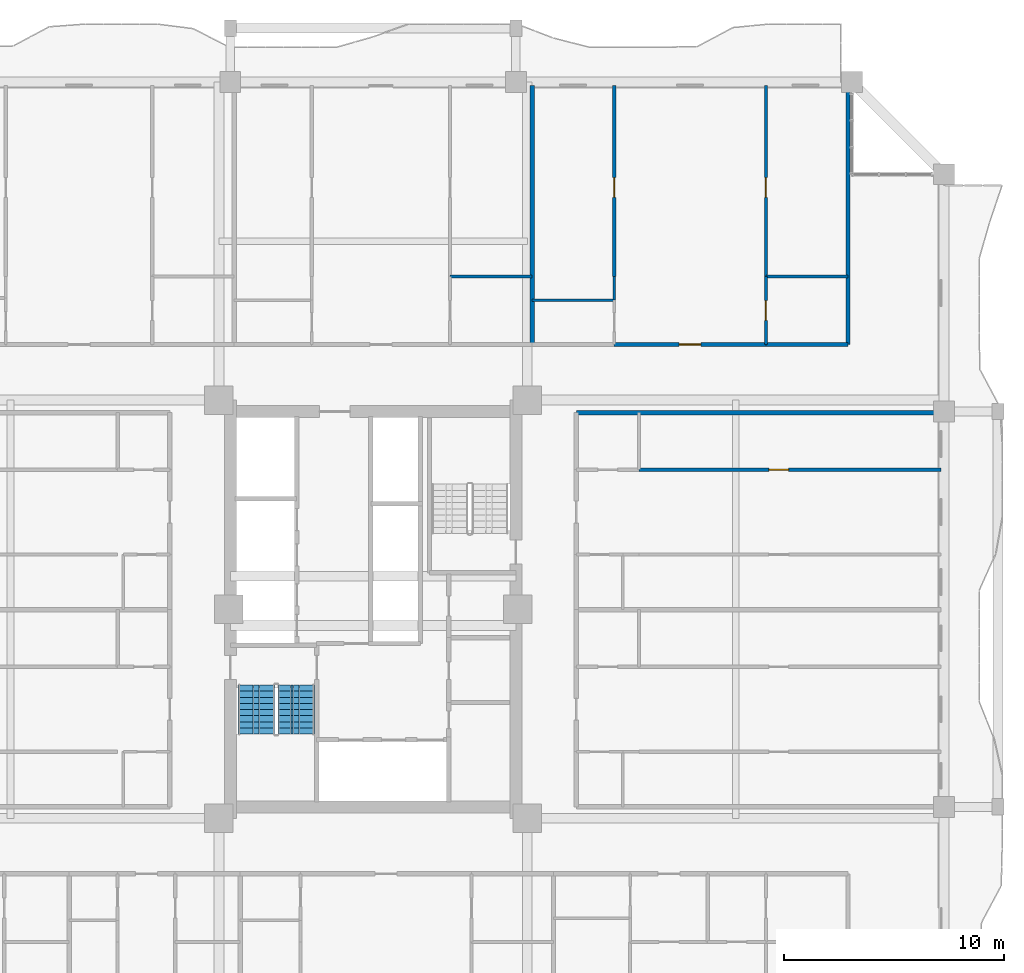
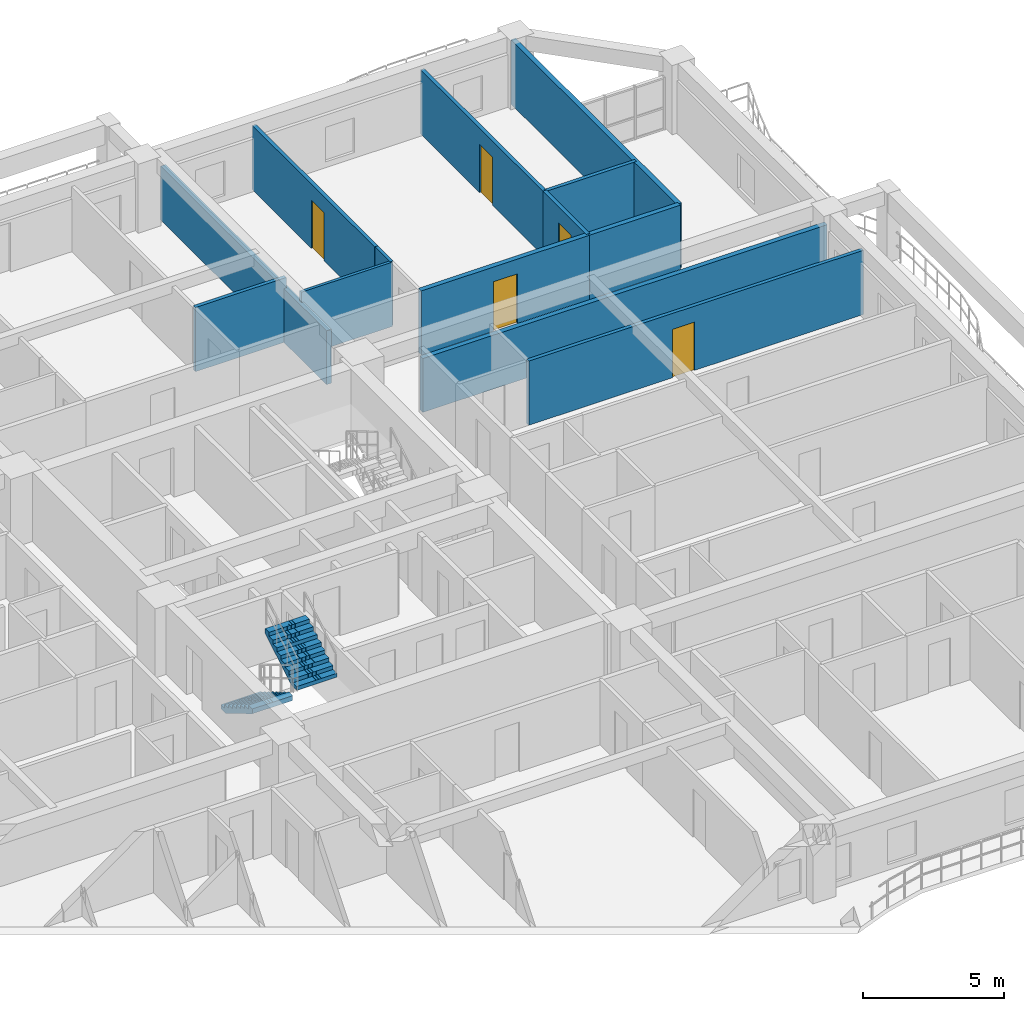
# One storey, part 20 of 25: 13 walls, 5 doors, 2 stair flights, 5 openings, 1 element without a shape of its own.
"""IFC4 building model written with IfcOpenShell, lengths in metres."""

from ifc_helpers import new_model, si_unit, direction, frame, frame_2d, origin, place, context, subcontext, project, spatial, polyline, rectangle, outline, extrude, source, transform, mapped, material, layer, layer_set, type_object, element, fill, aggregate, save


model = new_model("IFC4")

# Units and contexts
model_context = context("Model", 3, precision=1e-05, world=origin(), true_north=direction((0.0, 1.0)))
body_context = subcontext(model_context, "Body", "Model", "MODEL_VIEW")
ifc_project = project(units=[si_unit("LENGTHUNIT", "METRE"), si_unit("AREAUNIT", "SQUARE_METRE"), si_unit("VOLUMEUNIT", "CUBIC_METRE"), si_unit("PLANEANGLEUNIT", "RADIAN"), si_unit("MASSUNIT", "GRAM", prefix="KILO")], contexts=[model_context])

# Site, building, storey
site_placement = place(None, origin())
site = spatial("IfcSite", under=ifc_project, at=site_placement, CompositionType="ELEMENT")
building_placement = place(site_placement, origin())
building = spatial("IfcBuilding", under=site, at=building_placement, Name="Saelheon Loggia Tower", CompositionType="ELEMENT")
storey_placement = place(building_placement, frame((0.0, 0.0, 80.85009765625)))
storey = spatial("IfcBuildingStorey", under=building, at=storey_placement, Name="L25", CompositionType="ELEMENT", Elevation=80.85009765625)

# Walls
ifc_material_1 = material(Name="Lightweight Autoclaved Aerated Concrete Block and Acoustic Gypsum", Category="concrete")
ifc_layer_1 = layer(ifc_material_1, 0.14990234375)
ifc_layer_set_1 = layer_set([ifc_layer_1], Name="Lightweight Autoclaved Aerated Concrete Block and Acoustic Gypsum")
wall_type_1 = type_object("IfcWallType", Name="Wall_Part_150", PredefinedType="PARTITIONING", material=ifc_layer_set_1)
for number, where, z_axis, x_axis, name in (
    (1, (41.5029296875, 42.14990234375, 0.0), (0.0, 0.0, 1.0), (1.0, 0.0, 0.0), "L25 N Partition V20"),
    (2, (55.884521484375, 42.14990234375, 0.0), (0.0, 0.0, 1.0), (1.0, 0.0, 0.0), "L25 N Partition V31"),
):
    element("IfcWall", number, at=place(storey_placement, frame(where, z_axis=z_axis, x_axis=x_axis)), inside=storey, type_object=wall_type_1, Name=name, PredefinedType="PARTITIONING", context=body_context, shape_type="SweptSolid", body=[
        extrude(rectangle(XDim=3.735595703125, YDim=0.14990234375, at=frame_2d((1.86767578125, 0.0))), origin(), (0.0, 0.0, 1.0), 2.789794921875),
    ])

# Wall, opening, door
wall_1_placement = place(storey_placement, frame((48.97412109375, 42.14990234375, 0.0), z_axis=(0.0, 0.0, 1.0), x_axis=(0.0, 1.0, 0.0)))
wall_1 = element("IfcWall", 3, at=wall_1_placement, inside=storey, type_object=wall_type_1, Name="L25 N Partition U34", PredefinedType="PARTITIONING", context=body_context, shape_type="SweptSolid", body=[
    extrude(rectangle(XDim=8.7001953125, YDim=0.14990234375, at=frame_2d((4.35009765625, 0.0))), origin(), (0.0, 0.0, 1.0), 2.789794921875),
])
opening_1_placement = place(wall_1_placement, frame((3.594970703125, 0.0, 0.0)))
opening_1 = element("IfcOpeningElement", 4, at=opening_1_placement, cuts=wall_1, Name="Opening D-IN2", PredefinedType="OPENING", context=body_context, shape_type="SweptSolid", body=[
    extrude(rectangle(XDim=0.89990234375, YDim=2.10009765625, at=frame_2d((0.449951171875, 1.050048828125))), frame((0.0, 0.0869140625, 0.0), z_axis=(0.0, -1.0, 0.0), x_axis=(1.0, 0.0, 0.0)), (0.0, 0.0, 1.0), 0.173828125),
])
ifc_material_2 = material(Name="Engineered Oak Flush Door", Category="timber")
door_type_1 = type_object("IfcDoorType", Name="Door_Int_900", OperationType="NOTDEFINED", PredefinedType="DOOR", material=ifc_material_2)
shared_shape_1 = source(origin(), body_context, "Body", "SweptSolid", [
    extrude(rectangle(XDim=0.89990234375, YDim=2.10009765625, at=frame_2d((0.449951171875, 1.050048828125))), frame((0.0, 0.02490234375, 0.0), z_axis=(0.0, -1.0, 0.0), x_axis=(1.0, 0.0, 0.0)), (0.0, 0.0, 1.0), 0.050048828125),
])
door_1_placement = place(opening_1_placement, origin())
door_1 = element("IfcDoor", 5, at=door_1_placement, inside=storey, type_object=door_type_1, Name="Unit U07 Bedroom 2 Door", OperationType="SINGLE_SWING_RIGHT", OverallHeight=2.10009765625, OverallWidth=0.89990234375, PredefinedType="DOOR", context=body_context, shape_type="MappedRepresentation", body=[
    mapped(shared_shape_1, transform((0.0, 0.0, 0.0), scale=1.0)),
])
fill(opening_1, door_1)

wall_2_placement = place(storey_placement, frame((55.884521484375, 39.050048828125, 0.0), z_axis=(0.0, 0.0, 1.0), x_axis=(0.0, 1.0, 0.0)))
wall_2 = element("IfcWall", 6, at=wall_2_placement, inside=storey, type_object=wall_type_1, Name="L25 N Partition U35", PredefinedType="PARTITIONING", context=body_context, shape_type="SweptSolid", body=[
    extrude(rectangle(XDim=3.099853515625, YDim=0.14990234375, at=frame_2d((1.5498046875, 0.0))), origin(), (0.0, 0.0, 1.0), 2.789794921875),
])
opening_2_placement = place(wall_2_placement, frame((1.10009765625, 0.0, 0.0)))
opening_2 = element("IfcOpeningElement", 7, at=opening_2_placement, cuts=wall_2, Name="Opening D-IN2", PredefinedType="OPENING", context=body_context, shape_type="SweptSolid", body=[
    extrude(rectangle(XDim=0.89990234375, YDim=2.10009765625, at=frame_2d((0.449951171875, 1.050048828125))), frame((0.0, 0.0869140625, 0.0), z_axis=(0.0, -1.0, 0.0), x_axis=(1.0, 0.0, 0.0)), (0.0, 0.0, 1.0), 0.173828125),
])
door_2_placement = place(opening_2_placement, origin())
door_2 = element("IfcDoor", 8, at=door_2_placement, inside=storey, type_object=door_type_1, Name="Unit U07 Kitchen Door", OperationType="SINGLE_SWING_LEFT", OverallHeight=2.10009765625, OverallWidth=0.89990234375, PredefinedType="DOOR", context=body_context, shape_type="MappedRepresentation", body=[
    mapped(shared_shape_1, transform((0.0, 0.0, 0.0), scale=1.0)),
])
fill(opening_2, door_2)

wall_3_placement = place(storey_placement, frame((55.884521484375, 42.14990234375, 0.0), z_axis=(0.0, 0.0, 1.0), x_axis=(0.0, 1.0, 0.0)))
wall_3 = element("IfcWall", 9, at=wall_3_placement, inside=storey, type_object=wall_type_1, Name="L25 N Partition U36", PredefinedType="PARTITIONING", context=body_context, shape_type="SweptSolid", body=[
    extrude(rectangle(XDim=8.7001953125, YDim=0.14990234375, at=frame_2d((4.35009765625, 0.0))), origin(), (0.0, 0.0, 1.0), 2.789794921875),
])
opening_3_placement = place(wall_3_placement, frame((3.594970703125, 0.0, 0.0)))
opening_3 = element("IfcOpeningElement", 10, at=opening_3_placement, cuts=wall_3, Name="Opening D-IN2", PredefinedType="OPENING", context=body_context, shape_type="SweptSolid", body=[
    extrude(rectangle(XDim=0.89990234375, YDim=2.10009765625, at=frame_2d((0.449951171875, 1.050048828125))), frame((0.0, 0.0869140625, 0.0), z_axis=(0.0, -1.0, 0.0), x_axis=(1.0, 0.0, 0.0)), (0.0, 0.0, 1.0), 0.173828125),
])
door_3_placement = place(opening_3_placement, origin())
door_3 = element("IfcDoor", 11, at=door_3_placement, inside=storey, type_object=door_type_1, Name="Unit U07 Bedroom 1 Door", OperationType="SINGLE_SWING_RIGHT", OverallHeight=2.10009765625, OverallWidth=0.89990234375, PredefinedType="DOOR", context=body_context, shape_type="MappedRepresentation", body=[
    mapped(shared_shape_1, transform((0.0, 0.0, 0.0), scale=1.0)),
])
fill(opening_3, door_3)

wall_4_placement = place(storey_placement, frame((50.110107421875, 33.35009765625, 0.0), z_axis=(0.0, 0.0, 1.0), x_axis=(1.0, 0.0, 0.0)))
wall_4 = element("IfcWall", 12, at=wall_4_placement, inside=storey, type_object=wall_type_1, Name="L25 E Partition U23", PredefinedType="PARTITIONING", context=body_context, shape_type="SweptSolid", body=[
    extrude(rectangle(XDim=13.739990234375, YDim=0.14990234375, at=frame_2d((6.8701171875, 0.0))), origin(), (0.0, 0.0, 1.0), 2.789794921875),
])
opening_4_placement = place(wall_4_placement, frame((5.905029296875, 0.0, 0.0)))
opening_4 = element("IfcOpeningElement", 13, at=opening_4_placement, cuts=wall_4, Name="Opening D-IN2", PredefinedType="OPENING", context=body_context, shape_type="SweptSolid", body=[
    extrude(rectangle(XDim=0.89990234375, YDim=2.10009765625, at=frame_2d((0.449951171875, 1.050048828125))), frame((0.0, 0.0869140625, 0.0), z_axis=(0.0, -1.0, 0.0), x_axis=(1.0, 0.0, 0.0)), (0.0, 0.0, 1.0), 0.173828125),
])
door_4_placement = place(opening_4_placement, origin())
door_4 = element("IfcDoor", 14, at=door_4_placement, inside=storey, type_object=door_type_1, Name="Unit U11 Bedroom 1 Door", OperationType="SINGLE_SWING_RIGHT", OverallHeight=2.10009765625, OverallWidth=0.89990234375, PredefinedType="DOOR", context=body_context, shape_type="MappedRepresentation", body=[
    mapped(shared_shape_1, transform((0.0, 0.0, 0.0), scale=1.0)),
])
fill(opening_4, door_4)

# Walls
ifc_material_3 = material(Name="Double Acoustic Stud and Fireboard Partition", Category="gypsum")
ifc_layer_2 = layer(ifc_material_3, 0.199951171875)
ifc_layer_set_2 = layer_set([ifc_layer_2], Name="Double Acoustic Stud and Fireboard Partition")
wall_type_2 = type_object("IfcWallType", Name="Wall_Party_200", PredefinedType="PARTITIONING", material=ifc_layer_set_2)
wall_5_placement = place(storey_placement, frame((59.6201171875, 39.050048828125, 0.0), z_axis=(0.0, 0.0, 1.0), x_axis=(0.0, 1.0, 0.0)))
element("IfcWall", 15, at=wall_5_placement, inside=storey, type_object=wall_type_2, Name="L25 N Partition U02", PredefinedType="PARTITIONING", context=body_context, shape_type="SweptSolid", body=[
    extrude(rectangle(XDim=11.800048828125, YDim=0.199951171875, at=frame_2d((5.89990234375, 0.0))), origin(), (0.0, 0.0, 1.0), 2.789794921875),
])
wall_6_placement = place(storey_placement, frame((45.238525390625, 39.050048828125, 0.0), z_axis=(0.0, 0.0, 1.0), x_axis=(0.0, 1.0, 0.0)))
element("IfcWall", 16, at=wall_6_placement, inside=storey, type_object=wall_type_2, Name="L25 N Partition U26", PredefinedType="PARTITIONING", context=body_context, shape_type="SweptSolid", body=[
    extrude(rectangle(XDim=11.800048828125, YDim=0.199951171875, at=frame_2d((5.89990234375, 0.0))), origin(), (0.0, 0.0, 1.0), 2.33984375),
])

# Wall, opening, door
wall_7_placement = place(storey_placement, frame((48.97412109375, 39.050048828125, 0.0), z_axis=(0.0, 0.0, 1.0), x_axis=(1.0, 0.0, 0.0)))
wall_7 = element("IfcWall", 17, at=wall_7_placement, inside=storey, type_object=wall_type_2, Name="L25 N Partition V28", PredefinedType="PARTITIONING", context=body_context, shape_type="SweptSolid", body=[
    extrude(rectangle(XDim=6.910400390625, YDim=0.199951171875, at=frame_2d((3.455078125, 0.0))), origin(), (0.0, 0.0, 1.0), 2.789794921875),
])
opening_5_placement = place(wall_7_placement, frame((2.955078125, 0.0, 0.0)))
opening_5 = element("IfcOpeningElement", 18, at=opening_5_placement, cuts=wall_7, Name="Opening D-FD1", PredefinedType="OPENING", context=body_context, shape_type="SweptSolid", body=[
    extrude(rectangle(XDim=1.0, YDim=2.14990234375, at=frame_2d((0.5, 1.074951171875))), frame((0.0, 0.112060546875, 0.0), z_axis=(0.0, -1.0, 0.0), x_axis=(1.0, 0.0, 0.0)), (0.0, 0.0, 1.0), 0.223876953125),
])
ifc_material_4 = material(Name="Fire-Rated Engineered Timber Entrance Door", Category="wood")
door_type_2 = type_object("IfcDoorType", Name="Door_Flat_FD30S", OperationType="NOTDEFINED", PredefinedType="DOOR", material=ifc_material_4)
shared_shape_2 = source(origin(), body_context, "Body", "SweptSolid", [
    extrude(rectangle(XDim=1.0, YDim=2.14990234375, at=frame_2d((0.5, 1.074951171875))), frame((0.0, 0.02490234375, 0.0), z_axis=(0.0, -1.0, 0.0), x_axis=(1.0, 0.0, 0.0)), (0.0, 0.0, 1.0), 0.050048828125),
])
door_5_placement = place(opening_5_placement, origin())
door_5 = element("IfcDoor", 19, at=door_5_placement, inside=storey, type_object=door_type_2, Name="Unit U07 Entrance Door", OperationType="SINGLE_SWING_RIGHT", OverallHeight=2.14990234375, OverallWidth=1.0, PredefinedType="DOOR", context=body_context, shape_type="MappedRepresentation", body=[
    mapped(shared_shape_2, transform((0.0, 0.0, 0.0), scale=1.0)),
])
fill(opening_5, door_5)

# Walls
wall_8_placement = place(storey_placement, frame((55.884521484375, 39.050048828125, 0.0), z_axis=(0.0, 0.0, 1.0), x_axis=(1.0, 0.0, 0.0)))
element("IfcWall", 20, at=wall_8_placement, inside=storey, type_object=wall_type_2, Name="L25 N Partition V29", PredefinedType="PARTITIONING", context=body_context, shape_type="SweptSolid", body=[
    extrude(rectangle(XDim=3.735595703125, YDim=0.199951171875, at=frame_2d((1.86767578125, 0.0))), origin(), (0.0, 0.0, 1.0), 2.789794921875),
])
wall_9_placement = place(storey_placement, frame((47.25, 35.949951171875, 0.0), z_axis=(0.0, 0.0, 1.0), x_axis=(1.0, 0.0, 0.0)))
element("IfcWall", 21, at=wall_9_placement, inside=storey, type_object=wall_type_2, Name="L25 E Partition U02", PredefinedType="PARTITIONING", context=body_context, shape_type="SweptSolid", body=[
    extrude(rectangle(XDim=16.60009765625, YDim=0.199951171875, at=frame_2d((8.300048828125, 0.0))), origin(), (0.0, 0.0, 1.0), 2.33984375),
])
ifc_material_5 = material(Name="Moisture-Resistant Cement Board Partition", Category="gypsum")
ifc_layer_3 = layer(ifc_material_5, 0.1201171875)
ifc_layer_set_3 = layer_set([ifc_layer_3], Name="Moisture-Resistant Cement Board Partition")
wall_type_3 = type_object("IfcWallType", Name="Wall_WetPart_120", PredefinedType="PARTITIONING", material=ifc_layer_set_3)
wall_10_placement = place(storey_placement, frame((45.238525390625, 41.070068359375, 0.0), z_axis=(0.0, 0.0, 1.0), x_axis=(1.0, 0.0, 0.0)))
element("IfcWall", 22, at=wall_10_placement, inside=storey, type_object=wall_type_3, Name="L25 N Partition V30", PredefinedType="PARTITIONING", context=body_context, shape_type="SweptSolid", body=[
    extrude(rectangle(XDim=3.735595703125, YDim=0.1201171875, at=frame_2d((1.86767578125, 0.0))), origin(), (0.0, 0.0, 1.0), 2.789794921875),
])
wall_11_placement = place(storey_placement, frame((48.97412109375, 41.070068359375, 0.0), z_axis=(0.0, 0.0, 1.0), x_axis=(0.0, 1.0, 0.0)))
element("IfcWall", 23, at=wall_11_placement, inside=storey, type_object=wall_type_3, Name="L25 N Partition U33", PredefinedType="PARTITIONING", context=body_context, shape_type="SweptSolid", body=[
    extrude(rectangle(XDim=1.079833984375, YDim=0.1201171875, at=frame_2d((0.5400390625, 0.0))), origin(), (0.0, 0.0, 1.0), 2.789794921875),
])

# Stair, stair flights
ifc_material_6 = material(Name="Concrete C40/50", Category="concrete")
stair_type = type_object("IfcStairType", Name="Stair_Escape_Core", PredefinedType="HALF_TURN_STAIR", material=ifc_material_6)
stair_placement = place(storey_placement, origin())
stair = element("IfcStair", 24, at=stair_placement, inside=storey, type_object=stair_type, Name="L25 Special Escape Stair ST1", PredefinedType="HALF_TURN_STAIR")
stair_flight_type = type_object("IfcStairFlightType", Name="StairFlight_Tower_1660", PredefinedType="STRAIGHT", material=ifc_material_6)
stair_flight_1_placement = place(storey_placement, frame((32.679931640625, 23.550048828125, 0.0), z_axis=(0.0, 0.0, 1.0), x_axis=(0.0, -1.0, 0.0)))
stair_flight_1 = element("IfcStairFlight", 25, at=stair_flight_1_placement, type_object=stair_flight_type, Name="ST1 flight 1", NumberOfRisers=9, NumberOfTreads=8, PredefinedType="STRAIGHT", RiserHeight=0.166666667, TreadLength=0.28, context=body_context, shape_type="SweptSolid", body=[
    extrude(outline(polyline([(0.0, 0.0), (0.0, 0.166748046875), (0.280029296875, 0.166748046875), (0.280029296875, 0.333251953125), (0.56005859375, 0.333251953125), (0.56005859375, 0.5), (0.840087890625, 0.5), (0.840087890625, 0.666748046875), (1.1201171875, 0.666748046875), (1.1201171875, 0.833251953125), (1.39990234375, 0.833251953125), (1.39990234375, 1.0), (1.679931640625, 1.0), (1.679931640625, 1.166748046875), (1.9599609375, 1.166748046875), (1.9599609375, 1.333251953125), (2.239990234375, 1.333251953125), (2.239990234375, 1.5), (2.239990234375, 1.1240234375), (0.351806640625, 0.0), (0.0, 0.0)])), frame((0.0, -0.2490234375, 0.0), z_axis=(0.0, -1.0, 0.0), x_axis=(1.0, 0.0, 0.0)), (0.0, 0.0, 1.0), 0.5810546875),
    extrude(outline(polyline([(0.0, 0.0), (0.0, 0.166748046875), (0.280029296875, 0.166748046875), (0.280029296875, 0.333251953125), (0.56005859375, 0.333251953125), (0.56005859375, 0.5), (0.840087890625, 0.5), (0.840087890625, 0.666748046875), (1.1201171875, 0.666748046875), (1.1201171875, 0.833251953125), (1.39990234375, 0.833251953125), (1.39990234375, 1.0), (1.679931640625, 1.0), (1.679931640625, 1.166748046875), (1.9599609375, 1.166748046875), (1.9599609375, 1.333251953125), (2.239990234375, 1.333251953125), (2.239990234375, 1.5), (2.239990234375, 1.1240234375), (0.351806640625, 0.0), (0.0, 0.0)])), frame((0.0, -0.194091796875, 0.0), z_axis=(0.0, -1.0, 0.0), x_axis=(1.0, 0.0, 0.0)), (0.0, 0.0, 1.0), 0.0498046875),
    extrude(outline(polyline([(0.0, 0.0), (0.0, 0.166748046875), (0.280029296875, 0.166748046875), (0.280029296875, 0.333251953125), (0.56005859375, 0.333251953125), (0.56005859375, 0.5), (0.840087890625, 0.5), (0.840087890625, 0.666748046875), (1.1201171875, 0.666748046875), (1.1201171875, 0.833251953125), (1.39990234375, 0.833251953125), (1.39990234375, 1.0), (1.679931640625, 1.0), (1.679931640625, 1.166748046875), (1.9599609375, 1.166748046875), (1.9599609375, 1.333251953125), (2.239990234375, 1.333251953125), (2.239990234375, 1.5), (2.239990234375, 1.1240234375), (0.351806640625, 0.0), (0.0, 0.0)])), frame((0.0, -0.139404296875, 0.0), z_axis=(0.0, -1.0, 0.0), x_axis=(1.0, 0.0, 0.0)), (0.0, 0.0, 1.0), 0.0498046875),
    extrude(outline(polyline([(0.0, 0.0), (0.0, 0.166748046875), (0.280029296875, 0.166748046875), (0.280029296875, 0.333251953125), (0.56005859375, 0.333251953125), (0.56005859375, 0.5), (0.840087890625, 0.5), (0.840087890625, 0.666748046875), (1.1201171875, 0.666748046875), (1.1201171875, 0.833251953125), (1.39990234375, 0.833251953125), (1.39990234375, 1.0), (1.679931640625, 1.0), (1.679931640625, 1.166748046875), (1.9599609375, 1.166748046875), (1.9599609375, 1.333251953125), (2.239990234375, 1.333251953125), (2.239990234375, 1.5), (2.239990234375, 1.1240234375), (0.351806640625, 0.0), (0.0, 0.0)])), frame((0.0, -0.084716796875, 0.0), z_axis=(0.0, -1.0, 0.0), x_axis=(1.0, 0.0, 0.0)), (0.0, 0.0, 1.0), 0.0498046875),
    extrude(outline(polyline([(0.0, 0.0), (0.0, 0.166748046875), (0.280029296875, 0.166748046875), (0.280029296875, 0.333251953125), (0.56005859375, 0.333251953125), (0.56005859375, 0.5), (0.840087890625, 0.5), (0.840087890625, 0.666748046875), (1.1201171875, 0.666748046875), (1.1201171875, 0.833251953125), (1.39990234375, 0.833251953125), (1.39990234375, 1.0), (1.679931640625, 1.0), (1.679931640625, 1.166748046875), (1.9599609375, 1.166748046875), (1.9599609375, 1.333251953125), (2.239990234375, 1.333251953125), (2.239990234375, 1.5), (2.239990234375, 1.1240234375), (0.351806640625, 0.0), (0.0, 0.0)])), frame((0.0, -0.02978515625, 0.0), z_axis=(0.0, -1.0, 0.0), x_axis=(1.0, 0.0, 0.0)), (0.0, 0.0, 1.0), 0.0498046875),
    extrude(outline(polyline([(0.0, 0.0), (0.0, 0.166748046875), (0.280029296875, 0.166748046875), (0.280029296875, 0.333251953125), (0.56005859375, 0.333251953125), (0.56005859375, 0.5), (0.840087890625, 0.5), (0.840087890625, 0.666748046875), (1.1201171875, 0.666748046875), (1.1201171875, 0.833251953125), (1.39990234375, 0.833251953125), (1.39990234375, 1.0), (1.679931640625, 1.0), (1.679931640625, 1.166748046875), (1.9599609375, 1.166748046875), (1.9599609375, 1.333251953125), (2.239990234375, 1.333251953125), (2.239990234375, 1.5), (2.239990234375, 1.1240234375), (0.351806640625, 0.0), (0.0, 0.0)])), frame((0.0, 0.02490234375, 0.0), z_axis=(0.0, -1.0, 0.0), x_axis=(1.0, 0.0, 0.0)), (0.0, 0.0, 1.0), 0.0498046875),
    extrude(outline(polyline([(0.0, 0.0), (0.0, 0.166748046875), (0.280029296875, 0.166748046875), (0.280029296875, 0.333251953125), (0.56005859375, 0.333251953125), (0.56005859375, 0.5), (0.840087890625, 0.5), (0.840087890625, 0.666748046875), (1.1201171875, 0.666748046875), (1.1201171875, 0.833251953125), (1.39990234375, 0.833251953125), (1.39990234375, 1.0), (1.679931640625, 1.0), (1.679931640625, 1.166748046875), (1.9599609375, 1.166748046875), (1.9599609375, 1.333251953125), (2.239990234375, 1.333251953125), (2.239990234375, 1.5), (2.239990234375, 1.1240234375), (0.351806640625, 0.0), (0.0, 0.0)])), frame((0.0, 0.07958984375, 0.0), z_axis=(0.0, -1.0, 0.0), x_axis=(1.0, 0.0, 0.0)), (0.0, 0.0, 1.0), 0.0498046875),
    extrude(outline(polyline([(0.0, 0.0), (0.0, 0.166748046875), (0.280029296875, 0.166748046875), (0.280029296875, 0.333251953125), (0.56005859375, 0.333251953125), (0.56005859375, 0.5), (0.840087890625, 0.5), (0.840087890625, 0.666748046875), (1.1201171875, 0.666748046875), (1.1201171875, 0.833251953125), (1.39990234375, 0.833251953125), (1.39990234375, 1.0), (1.679931640625, 1.0), (1.679931640625, 1.166748046875), (1.9599609375, 1.166748046875), (1.9599609375, 1.333251953125), (2.239990234375, 1.333251953125), (2.239990234375, 1.5), (2.239990234375, 1.1240234375), (0.351806640625, 0.0), (0.0, 0.0)])), frame((0.0, 0.134521484375, 0.0), z_axis=(0.0, -1.0, 0.0), x_axis=(1.0, 0.0, 0.0)), (0.0, 0.0, 1.0), 0.0498046875),
    extrude(outline(polyline([(0.0, 0.0), (0.0, 0.166748046875), (0.280029296875, 0.166748046875), (0.280029296875, 0.333251953125), (0.56005859375, 0.333251953125), (0.56005859375, 0.5), (0.840087890625, 0.5), (0.840087890625, 0.666748046875), (1.1201171875, 0.666748046875), (1.1201171875, 0.833251953125), (1.39990234375, 0.833251953125), (1.39990234375, 1.0), (1.679931640625, 1.0), (1.679931640625, 1.166748046875), (1.9599609375, 1.166748046875), (1.9599609375, 1.333251953125), (2.239990234375, 1.333251953125), (2.239990234375, 1.5), (2.239990234375, 1.1240234375), (0.351806640625, 0.0), (0.0, 0.0)])), frame((0.0, 0.189208984375, 0.0), z_axis=(0.0, -1.0, 0.0), x_axis=(1.0, 0.0, 0.0)), (0.0, 0.0, 1.0), 0.0498046875),
    extrude(outline(polyline([(0.0, 0.0), (0.0, 0.166748046875), (0.280029296875, 0.166748046875), (0.280029296875, 0.333251953125), (0.56005859375, 0.333251953125), (0.56005859375, 0.5), (0.840087890625, 0.5), (0.840087890625, 0.666748046875), (1.1201171875, 0.666748046875), (1.1201171875, 0.833251953125), (1.39990234375, 0.833251953125), (1.39990234375, 1.0), (1.679931640625, 1.0), (1.679931640625, 1.166748046875), (1.9599609375, 1.166748046875), (1.9599609375, 1.333251953125), (2.239990234375, 1.333251953125), (2.239990234375, 1.5), (2.239990234375, 1.1240234375), (0.351806640625, 0.0), (0.0, 0.0)])), frame((0.0, 0.243896484375, 0.0), z_axis=(0.0, -1.0, 0.0), x_axis=(1.0, 0.0, 0.0)), (0.0, 0.0, 1.0), 0.0498046875),
    extrude(outline(polyline([(0.0, 0.0), (0.0, 0.166748046875), (0.280029296875, 0.166748046875), (0.280029296875, 0.333251953125), (0.56005859375, 0.333251953125), (0.56005859375, 0.5), (0.840087890625, 0.5), (0.840087890625, 0.666748046875), (1.1201171875, 0.666748046875), (1.1201171875, 0.833251953125), (1.39990234375, 0.833251953125), (1.39990234375, 1.0), (1.679931640625, 1.0), (1.679931640625, 1.166748046875), (1.9599609375, 1.166748046875), (1.9599609375, 1.333251953125), (2.239990234375, 1.333251953125), (2.239990234375, 1.5), (2.239990234375, 1.1240234375), (0.351806640625, 0.0), (0.0, 0.0)])), frame((0.0, 0.830078125, 0.0), z_axis=(0.0, -1.0, 0.0), x_axis=(1.0, 0.0, 0.0)), (0.0, 0.0, 1.0), 0.5810546875),
])
stair_flight_2_placement = place(storey_placement, frame((34.5, 21.31005859375, 1.5), z_axis=(0.0, 0.0, 1.0), x_axis=(0.0, 1.0, 0.0)))
stair_flight_2 = element("IfcStairFlight", 26, at=stair_flight_2_placement, type_object=stair_flight_type, Name="ST1 flight 2", NumberOfRisers=9, NumberOfTreads=8, PredefinedType="STRAIGHT", RiserHeight=0.166666667, TreadLength=0.28, context=body_context, shape_type="SweptSolid", body=[
    extrude(outline(polyline([(0.0, 0.0), (0.0, 0.166748046875), (0.280029296875, 0.166748046875), (0.280029296875, 0.333251953125), (0.56005859375, 0.333251953125), (0.56005859375, 0.5), (0.840087890625, 0.5), (0.840087890625, 0.666748046875), (1.1201171875, 0.666748046875), (1.1201171875, 0.833251953125), (1.39990234375, 0.833251953125), (1.39990234375, 1.0), (1.679931640625, 1.0), (1.679931640625, 1.166748046875), (1.9599609375, 1.166748046875), (1.9599609375, 1.333251953125), (2.239990234375, 1.333251953125), (2.239990234375, 1.5), (2.239990234375, 1.1240234375), (0.351806640625, 0.0), (0.0, 0.0)])), frame((0.0, -0.2490234375, 0.0), z_axis=(0.0, -1.0, 0.0), x_axis=(1.0, 0.0, 0.0)), (0.0, 0.0, 1.0), 0.5810546875),
    extrude(outline(polyline([(0.0, 0.0), (0.0, 0.166748046875), (0.280029296875, 0.166748046875), (0.280029296875, 0.333251953125), (0.56005859375, 0.333251953125), (0.56005859375, 0.5), (0.840087890625, 0.5), (0.840087890625, 0.666748046875), (1.1201171875, 0.666748046875), (1.1201171875, 0.833251953125), (1.39990234375, 0.833251953125), (1.39990234375, 1.0), (1.679931640625, 1.0), (1.679931640625, 1.166748046875), (1.9599609375, 1.166748046875), (1.9599609375, 1.333251953125), (2.239990234375, 1.333251953125), (2.239990234375, 1.5), (2.239990234375, 1.1240234375), (0.351806640625, 0.0), (0.0, 0.0)])), frame((0.0, -0.194091796875, 0.0), z_axis=(0.0, -1.0, 0.0), x_axis=(1.0, 0.0, 0.0)), (0.0, 0.0, 1.0), 0.0498046875),
    extrude(outline(polyline([(0.0, 0.0), (0.0, 0.166748046875), (0.280029296875, 0.166748046875), (0.280029296875, 0.333251953125), (0.56005859375, 0.333251953125), (0.56005859375, 0.5), (0.840087890625, 0.5), (0.840087890625, 0.666748046875), (1.1201171875, 0.666748046875), (1.1201171875, 0.833251953125), (1.39990234375, 0.833251953125), (1.39990234375, 1.0), (1.679931640625, 1.0), (1.679931640625, 1.166748046875), (1.9599609375, 1.166748046875), (1.9599609375, 1.333251953125), (2.239990234375, 1.333251953125), (2.239990234375, 1.5), (2.239990234375, 1.1240234375), (0.351806640625, 0.0), (0.0, 0.0)])), frame((0.0, -0.139404296875, 0.0), z_axis=(0.0, -1.0, 0.0), x_axis=(1.0, 0.0, 0.0)), (0.0, 0.0, 1.0), 0.0498046875),
    extrude(outline(polyline([(0.0, 0.0), (0.0, 0.166748046875), (0.280029296875, 0.166748046875), (0.280029296875, 0.333251953125), (0.56005859375, 0.333251953125), (0.56005859375, 0.5), (0.840087890625, 0.5), (0.840087890625, 0.666748046875), (1.1201171875, 0.666748046875), (1.1201171875, 0.833251953125), (1.39990234375, 0.833251953125), (1.39990234375, 1.0), (1.679931640625, 1.0), (1.679931640625, 1.166748046875), (1.9599609375, 1.166748046875), (1.9599609375, 1.333251953125), (2.239990234375, 1.333251953125), (2.239990234375, 1.5), (2.239990234375, 1.1240234375), (0.351806640625, 0.0), (0.0, 0.0)])), frame((0.0, -0.084716796875, 0.0), z_axis=(0.0, -1.0, 0.0), x_axis=(1.0, 0.0, 0.0)), (0.0, 0.0, 1.0), 0.0498046875),
    extrude(outline(polyline([(0.0, 0.0), (0.0, 0.166748046875), (0.280029296875, 0.166748046875), (0.280029296875, 0.333251953125), (0.56005859375, 0.333251953125), (0.56005859375, 0.5), (0.840087890625, 0.5), (0.840087890625, 0.666748046875), (1.1201171875, 0.666748046875), (1.1201171875, 0.833251953125), (1.39990234375, 0.833251953125), (1.39990234375, 1.0), (1.679931640625, 1.0), (1.679931640625, 1.166748046875), (1.9599609375, 1.166748046875), (1.9599609375, 1.333251953125), (2.239990234375, 1.333251953125), (2.239990234375, 1.5), (2.239990234375, 1.1240234375), (0.351806640625, 0.0), (0.0, 0.0)])), frame((0.0, -0.02978515625, 0.0), z_axis=(0.0, -1.0, 0.0), x_axis=(1.0, 0.0, 0.0)), (0.0, 0.0, 1.0), 0.0498046875),
    extrude(outline(polyline([(0.0, 0.0), (0.0, 0.166748046875), (0.280029296875, 0.166748046875), (0.280029296875, 0.333251953125), (0.56005859375, 0.333251953125), (0.56005859375, 0.5), (0.840087890625, 0.5), (0.840087890625, 0.666748046875), (1.1201171875, 0.666748046875), (1.1201171875, 0.833251953125), (1.39990234375, 0.833251953125), (1.39990234375, 1.0), (1.679931640625, 1.0), (1.679931640625, 1.166748046875), (1.9599609375, 1.166748046875), (1.9599609375, 1.333251953125), (2.239990234375, 1.333251953125), (2.239990234375, 1.5), (2.239990234375, 1.1240234375), (0.351806640625, 0.0), (0.0, 0.0)])), frame((0.0, 0.02490234375, 0.0), z_axis=(0.0, -1.0, 0.0), x_axis=(1.0, 0.0, 0.0)), (0.0, 0.0, 1.0), 0.0498046875),
    extrude(outline(polyline([(0.0, 0.0), (0.0, 0.166748046875), (0.280029296875, 0.166748046875), (0.280029296875, 0.333251953125), (0.56005859375, 0.333251953125), (0.56005859375, 0.5), (0.840087890625, 0.5), (0.840087890625, 0.666748046875), (1.1201171875, 0.666748046875), (1.1201171875, 0.833251953125), (1.39990234375, 0.833251953125), (1.39990234375, 1.0), (1.679931640625, 1.0), (1.679931640625, 1.166748046875), (1.9599609375, 1.166748046875), (1.9599609375, 1.333251953125), (2.239990234375, 1.333251953125), (2.239990234375, 1.5), (2.239990234375, 1.1240234375), (0.351806640625, 0.0), (0.0, 0.0)])), frame((0.0, 0.07958984375, 0.0), z_axis=(0.0, -1.0, 0.0), x_axis=(1.0, 0.0, 0.0)), (0.0, 0.0, 1.0), 0.0498046875),
    extrude(outline(polyline([(0.0, 0.0), (0.0, 0.166748046875), (0.280029296875, 0.166748046875), (0.280029296875, 0.333251953125), (0.56005859375, 0.333251953125), (0.56005859375, 0.5), (0.840087890625, 0.5), (0.840087890625, 0.666748046875), (1.1201171875, 0.666748046875), (1.1201171875, 0.833251953125), (1.39990234375, 0.833251953125), (1.39990234375, 1.0), (1.679931640625, 1.0), (1.679931640625, 1.166748046875), (1.9599609375, 1.166748046875), (1.9599609375, 1.333251953125), (2.239990234375, 1.333251953125), (2.239990234375, 1.5), (2.239990234375, 1.1240234375), (0.351806640625, 0.0), (0.0, 0.0)])), frame((0.0, 0.134521484375, 0.0), z_axis=(0.0, -1.0, 0.0), x_axis=(1.0, 0.0, 0.0)), (0.0, 0.0, 1.0), 0.0498046875),
    extrude(outline(polyline([(0.0, 0.0), (0.0, 0.166748046875), (0.280029296875, 0.166748046875), (0.280029296875, 0.333251953125), (0.56005859375, 0.333251953125), (0.56005859375, 0.5), (0.840087890625, 0.5), (0.840087890625, 0.666748046875), (1.1201171875, 0.666748046875), (1.1201171875, 0.833251953125), (1.39990234375, 0.833251953125), (1.39990234375, 1.0), (1.679931640625, 1.0), (1.679931640625, 1.166748046875), (1.9599609375, 1.166748046875), (1.9599609375, 1.333251953125), (2.239990234375, 1.333251953125), (2.239990234375, 1.5), (2.239990234375, 1.1240234375), (0.351806640625, 0.0), (0.0, 0.0)])), frame((0.0, 0.189208984375, 0.0), z_axis=(0.0, -1.0, 0.0), x_axis=(1.0, 0.0, 0.0)), (0.0, 0.0, 1.0), 0.0498046875),
    extrude(outline(polyline([(0.0, 0.0), (0.0, 0.166748046875), (0.280029296875, 0.166748046875), (0.280029296875, 0.333251953125), (0.56005859375, 0.333251953125), (0.56005859375, 0.5), (0.840087890625, 0.5), (0.840087890625, 0.666748046875), (1.1201171875, 0.666748046875), (1.1201171875, 0.833251953125), (1.39990234375, 0.833251953125), (1.39990234375, 1.0), (1.679931640625, 1.0), (1.679931640625, 1.166748046875), (1.9599609375, 1.166748046875), (1.9599609375, 1.333251953125), (2.239990234375, 1.333251953125), (2.239990234375, 1.5), (2.239990234375, 1.1240234375), (0.351806640625, 0.0), (0.0, 0.0)])), frame((0.0, 0.243896484375, 0.0), z_axis=(0.0, -1.0, 0.0), x_axis=(1.0, 0.0, 0.0)), (0.0, 0.0, 1.0), 0.0498046875),
    extrude(outline(polyline([(0.0, 0.0), (0.0, 0.166748046875), (0.280029296875, 0.166748046875), (0.280029296875, 0.333251953125), (0.56005859375, 0.333251953125), (0.56005859375, 0.5), (0.840087890625, 0.5), (0.840087890625, 0.666748046875), (1.1201171875, 0.666748046875), (1.1201171875, 0.833251953125), (1.39990234375, 0.833251953125), (1.39990234375, 1.0), (1.679931640625, 1.0), (1.679931640625, 1.166748046875), (1.9599609375, 1.166748046875), (1.9599609375, 1.333251953125), (2.239990234375, 1.333251953125), (2.239990234375, 1.5), (2.239990234375, 1.1240234375), (0.351806640625, 0.0), (0.0, 0.0)])), frame((0.0, 0.830078125, 0.0), z_axis=(0.0, -1.0, 0.0), x_axis=(1.0, 0.0, 0.0)), (0.0, 0.0, 1.0), 0.5810546875),
])
aggregate(stair, [stair_flight_1, stair_flight_2])

save(model, "model.ifc")
